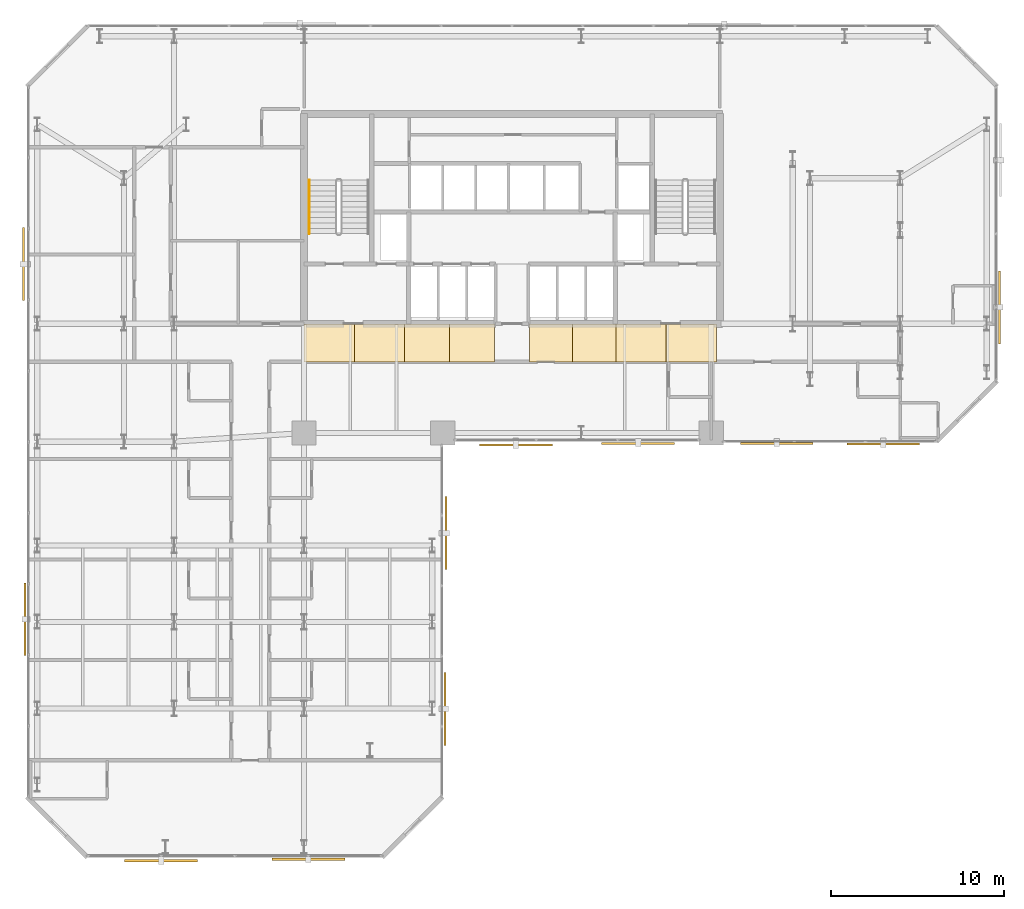
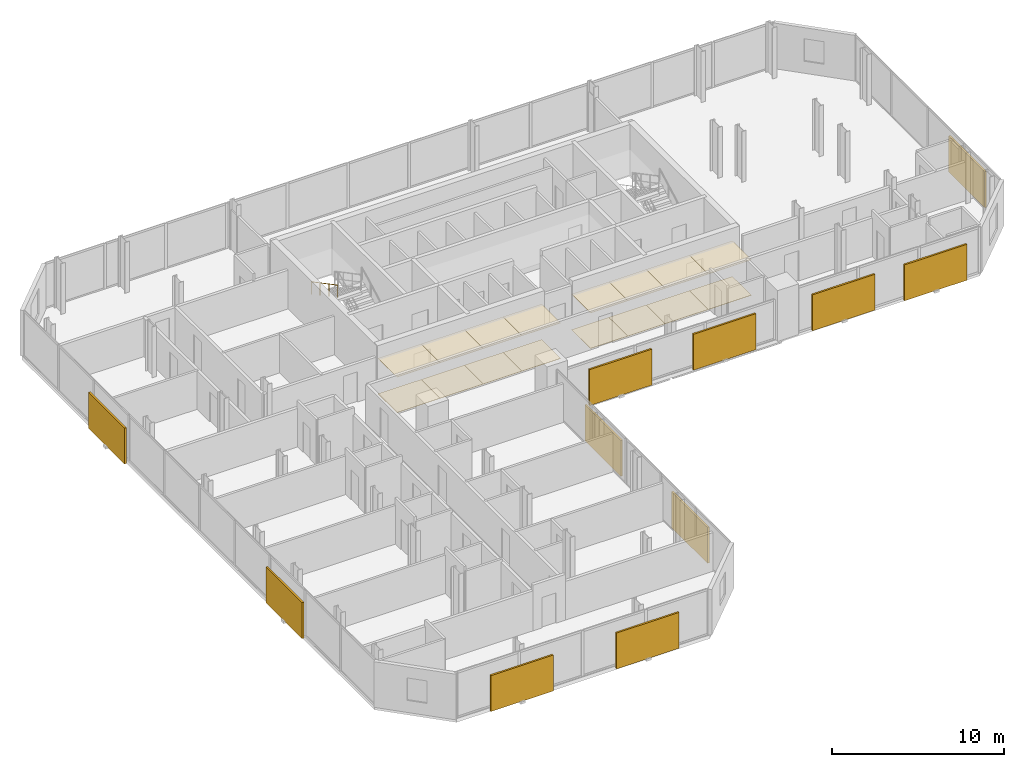
# One storey, part 32 of 33: 16 coverings, 11 shading devices, 1 railing.
"""IFC4 building model written with IfcOpenShell, lengths in metres."""

from ifc_helpers import new_model, si_unit, direction, frame, origin, origin_2d, place, context, subcontext, project, spatial, polyline, rectangle, circle, outline, extrude, material, layer, layer_set, type_object, element, save


model = new_model("IFC4")

# Units and contexts
model_context = context("Model", 3, precision=1e-05, world=origin(), true_north=direction((0.0, 1.0)))
body_context = subcontext(model_context, "Body", "Model", "MODEL_VIEW")
ifc_project = project(units=[si_unit("LENGTHUNIT", "METRE"), si_unit("AREAUNIT", "SQUARE_METRE"), si_unit("VOLUMEUNIT", "CUBIC_METRE"), si_unit("PLANEANGLEUNIT", "RADIAN"), si_unit("MASSUNIT", "GRAM", prefix="KILO")], contexts=[model_context])

# Site, building, storey
site_placement = place(None, origin())
site = spatial("IfcSite", under=ifc_project, at=site_placement, CompositionType="ELEMENT")
building_placement = place(site_placement, origin())
building = spatial("IfcBuilding", under=site, at=building_placement, Name="Catumbela Crestline Tower", CompositionType="ELEMENT")
storey_placement = place(building_placement, frame((0.0, 0.0, 76.2)))
storey = spatial("IfcBuildingStorey", under=building, at=storey_placement, Name="L19", CompositionType="ELEMENT", Elevation=76.2)

# Coverings
ifc_material_1 = material(Name="Mineral-fibre acoustic ceiling")
ifc_layer_1 = layer(ifc_material_1, 0.03, Name="Mineral-fibre acoustic ceiling")
ifc_layer_set_1 = layer_set([ifc_layer_1], Name="Mineral-fibre acoustic ceiling")
covering_type_1 = type_object("IfcCoveringType", Name="CC-AC", PredefinedType="CEILING", material=ifc_layer_set_1)
covering_1_placement = place(storey_placement, frame((0.0, 0.0, 2.52)))
element("IfcCovering", 1, at=covering_1_placement, inside=storey, type_object=covering_type_1, Name="L19 Corridor Acoustic Ceiling Bay 1", PredefinedType="CEILING", context=body_context, shape_type="SweptSolid", body=[
    extrude(outline(polyline([(16.0, 28.6), (18.9, 28.6), (18.9, 30.8), (16.0, 30.8), (16.0, 28.6)])), origin(), (0.0, 0.0, 1.0), 0.03),
])
covering_2_placement = place(storey_placement, frame((0.0, 0.0, 2.52)))
element("IfcCovering", 2, at=covering_2_placement, inside=storey, type_object=covering_type_1, Name="L19 Corridor Acoustic Ceiling Bay 2", PredefinedType="CEILING", context=body_context, shape_type="SweptSolid", body=[
    extrude(outline(polyline([(18.9, 28.6), (21.8, 28.6), (21.8, 30.8), (18.9, 30.8), (18.9, 28.6)])), origin(), (0.0, 0.0, 1.0), 0.03),
])
covering_3_placement = place(storey_placement, frame((0.0, 0.0, 2.52)))
element("IfcCovering", 3, at=covering_3_placement, inside=storey, type_object=covering_type_1, Name="L19 Corridor Acoustic Ceiling Bay 3", PredefinedType="CEILING", context=body_context, shape_type="SweptSolid", body=[
    extrude(outline(polyline([(21.8, 28.6), (24.4, 28.6), (24.4, 30.8), (21.8, 30.8), (21.8, 28.6)])), origin(), (0.0, 0.0, 1.0), 0.03),
])
covering_4_placement = place(storey_placement, frame((0.0, 0.0, 2.52)))
element("IfcCovering", 4, at=covering_4_placement, inside=storey, type_object=covering_type_1, Name="L19 Corridor Acoustic Ceiling Bay 4", PredefinedType="CEILING", context=body_context, shape_type="SweptSolid", body=[
    extrude(outline(polyline([(24.4, 28.6), (27.0, 28.6), (27.0, 30.8), (24.4, 30.8), (24.4, 28.6)])), origin(), (0.0, 0.0, 1.0), 0.03),
])
covering_5_placement = place(storey_placement, frame((0.0, 0.0, 2.52)))
element("IfcCovering", 5, at=covering_5_placement, inside=storey, type_object=covering_type_1, Name="L19 Corridor Acoustic Ceiling Bay 5", PredefinedType="CEILING", context=body_context, shape_type="SweptSolid", body=[
    extrude(outline(polyline([(29.0, 28.6), (31.5, 28.6), (31.5, 30.8), (29.0, 30.8), (29.0, 28.6)])), origin(), (0.0, 0.0, 1.0), 0.03),
])
covering_6_placement = place(storey_placement, frame((0.0, 0.0, 2.52)))
element("IfcCovering", 6, at=covering_6_placement, inside=storey, type_object=covering_type_1, Name="L19 Corridor Acoustic Ceiling Bay 6", PredefinedType="CEILING", context=body_context, shape_type="SweptSolid", body=[
    extrude(outline(polyline([(31.5, 28.6), (34.0, 28.6), (34.0, 30.8), (31.5, 30.8), (31.5, 28.6)])), origin(), (0.0, 0.0, 1.0), 0.03),
])
covering_7_placement = place(storey_placement, frame((0.0, 0.0, 2.52)))
element("IfcCovering", 7, at=covering_7_placement, inside=storey, type_object=covering_type_1, Name="L19 Corridor Acoustic Ceiling Bay 7", PredefinedType="CEILING", context=body_context, shape_type="SweptSolid", body=[
    extrude(outline(polyline([(34.0, 28.6), (36.9, 28.6), (36.9, 30.8), (34.0, 30.8), (34.0, 28.6)])), origin(), (0.0, 0.0, 1.0), 0.03),
])
covering_8_placement = place(storey_placement, frame((0.0, 0.0, 2.52)))
element("IfcCovering", 8, at=covering_8_placement, inside=storey, type_object=covering_type_1, Name="L19 Corridor Acoustic Ceiling Bay 8", PredefinedType="CEILING", context=body_context, shape_type="SweptSolid", body=[
    extrude(outline(polyline([(36.9, 28.6), (39.8, 28.6), (39.8, 30.8), (36.9, 30.8), (36.9, 28.6)])), origin(), (0.0, 0.0, 1.0), 0.03),
])
ifc_material_2 = material(Name="Angolan grey-ochre granite", Category="masonry")
ifc_layer_2 = layer(ifc_material_2, 0.025, Name="Angolan grey-ochre granite")
ifc_layer_set_2 = layer_set([ifc_layer_2], Name="Angolan grey-ochre granite")
covering_type_2 = type_object("IfcCoveringType", Name="CF-GR", PredefinedType="FLOORING", material=ifc_layer_set_2)
covering_9_placement = place(storey_placement, origin())
element("IfcCovering", 9, at=covering_9_placement, inside=storey, type_object=covering_type_2, Name="L19 Corridor Granite Flooring Bay 1", PredefinedType="FLOORING", context=body_context, shape_type="SweptSolid", body=[
    extrude(outline(polyline([(16.0, 28.6), (18.9, 28.6), (18.9, 30.8), (16.0, 30.8), (16.0, 28.6)])), origin(), (0.0, 0.0, 1.0), 0.025),
])
covering_10_placement = place(storey_placement, origin())
element("IfcCovering", 10, at=covering_10_placement, inside=storey, type_object=covering_type_2, Name="L19 Corridor Granite Flooring Bay 2", PredefinedType="FLOORING", context=body_context, shape_type="SweptSolid", body=[
    extrude(outline(polyline([(18.9, 28.6), (21.8, 28.6), (21.8, 30.8), (18.9, 30.8), (18.9, 28.6)])), origin(), (0.0, 0.0, 1.0), 0.025),
])
covering_11_placement = place(storey_placement, origin())
element("IfcCovering", 11, at=covering_11_placement, inside=storey, type_object=covering_type_2, Name="L19 Corridor Granite Flooring Bay 3", PredefinedType="FLOORING", context=body_context, shape_type="SweptSolid", body=[
    extrude(outline(polyline([(21.8, 28.6), (24.4, 28.6), (24.4, 30.8), (21.8, 30.8), (21.8, 28.6)])), origin(), (0.0, 0.0, 1.0), 0.025),
])
covering_12_placement = place(storey_placement, origin())
element("IfcCovering", 12, at=covering_12_placement, inside=storey, type_object=covering_type_2, Name="L19 Corridor Granite Flooring Bay 4", PredefinedType="FLOORING", context=body_context, shape_type="SweptSolid", body=[
    extrude(outline(polyline([(24.4, 28.6), (27.0, 28.6), (27.0, 30.8), (24.4, 30.8), (24.4, 28.6)])), origin(), (0.0, 0.0, 1.0), 0.025),
])
covering_13_placement = place(storey_placement, origin())
element("IfcCovering", 13, at=covering_13_placement, inside=storey, type_object=covering_type_2, Name="L19 Corridor Granite Flooring Bay 5", PredefinedType="FLOORING", context=body_context, shape_type="SweptSolid", body=[
    extrude(outline(polyline([(29.0, 28.6), (31.5, 28.6), (31.5, 30.8), (29.0, 30.8), (29.0, 28.6)])), origin(), (0.0, 0.0, 1.0), 0.025),
])
covering_14_placement = place(storey_placement, origin())
element("IfcCovering", 14, at=covering_14_placement, inside=storey, type_object=covering_type_2, Name="L19 Corridor Granite Flooring Bay 6", PredefinedType="FLOORING", context=body_context, shape_type="SweptSolid", body=[
    extrude(outline(polyline([(31.5, 28.6), (34.0, 28.6), (34.0, 30.8), (31.5, 30.8), (31.5, 28.6)])), origin(), (0.0, 0.0, 1.0), 0.025),
])
covering_15_placement = place(storey_placement, origin())
element("IfcCovering", 15, at=covering_15_placement, inside=storey, type_object=covering_type_2, Name="L19 Corridor Granite Flooring Bay 7", PredefinedType="FLOORING", context=body_context, shape_type="SweptSolid", body=[
    extrude(outline(polyline([(34.0, 28.6), (36.9, 28.6), (36.9, 30.8), (34.0, 30.8), (34.0, 28.6)])), origin(), (0.0, 0.0, 1.0), 0.025),
])
covering_16_placement = place(storey_placement, origin())
element("IfcCovering", 16, at=covering_16_placement, inside=storey, type_object=covering_type_2, Name="L19 Corridor Granite Flooring Bay 8", PredefinedType="FLOORING", context=body_context, shape_type="SweptSolid", body=[
    extrude(outline(polyline([(36.9, 28.6), (39.8, 28.6), (39.8, 30.8), (36.9, 30.8), (36.9, 28.6)])), origin(), (0.0, 0.0, 1.0), 0.025),
])

# Railing
ifc_material_3 = material(Name="Stainless steel EN 1.4401", Category="steel")
railing_type = type_object("IfcRailingType", Name="RH-0900", PredefinedType="HANDRAIL", material=ifc_material_3)
railing_placement = place(storey_placement, frame((16.3, 39.1, 1.9636)))
element("IfcRailing", 17, at=railing_placement, inside=storey, type_object=railing_type, Name="L19 ST-01 stair handrail 2", PredefinedType="HANDRAIL", context=body_context, shape_type="SweptSolid", body=[
    extrude(circle(Radius=0.024, at=origin_2d()), frame((0.0, 0.0, 0.876), z_axis=(0.0, -0.884350731049, 0.466823076222), x_axis=(1.0, 0.0, 0.0)), (0.0, 0.0, 1.0), 3.5054),
    extrude(circle(Radius=0.021, at=origin_2d()), origin(), (0.0, 0.0, 1.0), 0.852),
    extrude(circle(Radius=0.021, at=origin_2d()), frame((0.0, -1.0333, 0.5455)), (0.0, 0.0, 1.0), 0.852),
    extrude(circle(Radius=0.021, at=origin_2d()), frame((0.0, -2.0667, 1.0909)), (0.0, 0.0, 1.0), 0.852),
    extrude(circle(Radius=0.021, at=origin_2d()), frame((0.0, -3.1, 1.6364)), (0.0, 0.0, 1.0), 0.852),
])

# Shading devices
ifc_material_4 = material(Name="Extruded terracotta ceramic", Category="masonry")
shading_device_type_1 = type_object("IfcShadingDeviceType", Name="ST-180", PredefinedType="USERDEFINED", material=ifc_material_4)
for number, where, z_axis, x_axis, name in (
    (18, (16.25, -0.099, -0.1), (0.0, 0.0, 1.0), (1.0, 0.0, 0.0), "L19 Perforated Terracotta Solar Screen 198 (180 mm)"),
    (19, (35.275, 23.901, -0.1), (0.0, 0.0, 1.0), (1.0, 0.0, 0.0), "L19 Perforated Terracotta Solar Screen 202 (180 mm)"),
    (20, (43.275, 23.901, -0.1), (0.0, 0.0, 1.0), (1.0, 0.0, 0.0), "L19 Perforated Terracotta Solar Screen 203 (180 mm)"),
    (21, (-0.099, 13.75, -0.1), (0.0, 0.0, 1.0), (0.0, -1.0, 0.0), "L19 Perforated Terracotta Solar Screen 210 (180 mm)"),
):
    element("IfcShadingDevice", number, at=place(storey_placement, frame(where, z_axis=z_axis, x_axis=x_axis)), inside=storey, type_object=shading_device_type_1, Name=name, ObjectType="SCREEN", PredefinedType="USERDEFINED", context=body_context, shape_type="SweptSolid", body=[
        extrude(rectangle(XDim=4.2, YDim=0.12, at=origin_2d()), origin(), (0.0, 0.0, 1.0), 2.55),
    ])
shading_device_type_2 = type_object("IfcShadingDeviceType", Name="ST-260", PredefinedType="USERDEFINED", material=ifc_material_4)
for number, where, z_axis, x_axis, name in (
    (22, (24.143, 8.575, -0.1), (0.0, 0.0, 1.0), (0.0, 1.0, 0.0), "L19 Perforated Terracotta Solar Screen 199 (260 mm)"),
    (23, (49.425, 23.857, -0.1), (0.0, 0.0, 1.0), (1.0, 0.0, 0.0), "L19 Perforated Terracotta Solar Screen 204 (260 mm)"),
    (24, (56.143, 31.75, -0.1), (0.0, 0.0, 1.0), (0.0, 1.0, 0.0), "L19 Perforated Terracotta Solar Screen 205 (260 mm)"),
):
    element("IfcShadingDevice", number, at=place(storey_placement, frame(where, z_axis=z_axis, x_axis=x_axis)), inside=storey, type_object=shading_device_type_2, Name=name, ObjectType="SCREEN", PredefinedType="USERDEFINED", context=body_context, shape_type="SweptSolid", body=[
        extrude(rectangle(XDim=4.2, YDim=0.12, at=origin_2d()), origin(), (0.0, 0.0, 1.0), 2.55),
    ])
shading_device_type_3 = type_object("IfcShadingDeviceType", Name="ST-340", PredefinedType="USERDEFINED", material=ifc_material_4)
for number, where, z_axis, x_axis, name in (
    (25, (7.75, -0.187, -0.1), (0.0, 0.0, 1.0), (1.0, 0.0, 0.0), "L19 Perforated Terracotta Solar Screen 197 (340 mm)"),
    (26, (24.187, 18.725, -0.1), (0.0, 0.0, 1.0), (0.0, 1.0, 0.0), "L19 Perforated Terracotta Solar Screen 200 (340 mm)"),
    (27, (28.225, 23.813, -0.1), (0.0, 0.0, 1.0), (1.0, 0.0, 0.0), "L19 Perforated Terracotta Solar Screen 201 (340 mm)"),
    (28, (-0.187, 34.25, -0.1), (0.0, 0.0, 1.0), (0.0, -1.0, 0.0), "L19 Perforated Terracotta Solar Screen 209 (340 mm)"),
):
    element("IfcShadingDevice", number, at=place(storey_placement, frame(where, z_axis=z_axis, x_axis=x_axis)), inside=storey, type_object=shading_device_type_3, Name=name, ObjectType="SCREEN", PredefinedType="USERDEFINED", context=body_context, shape_type="SweptSolid", body=[
        extrude(rectangle(XDim=4.2, YDim=0.12, at=origin_2d()), origin(), (0.0, 0.0, 1.0), 2.55),
    ])

save(model, "model.ifc")
